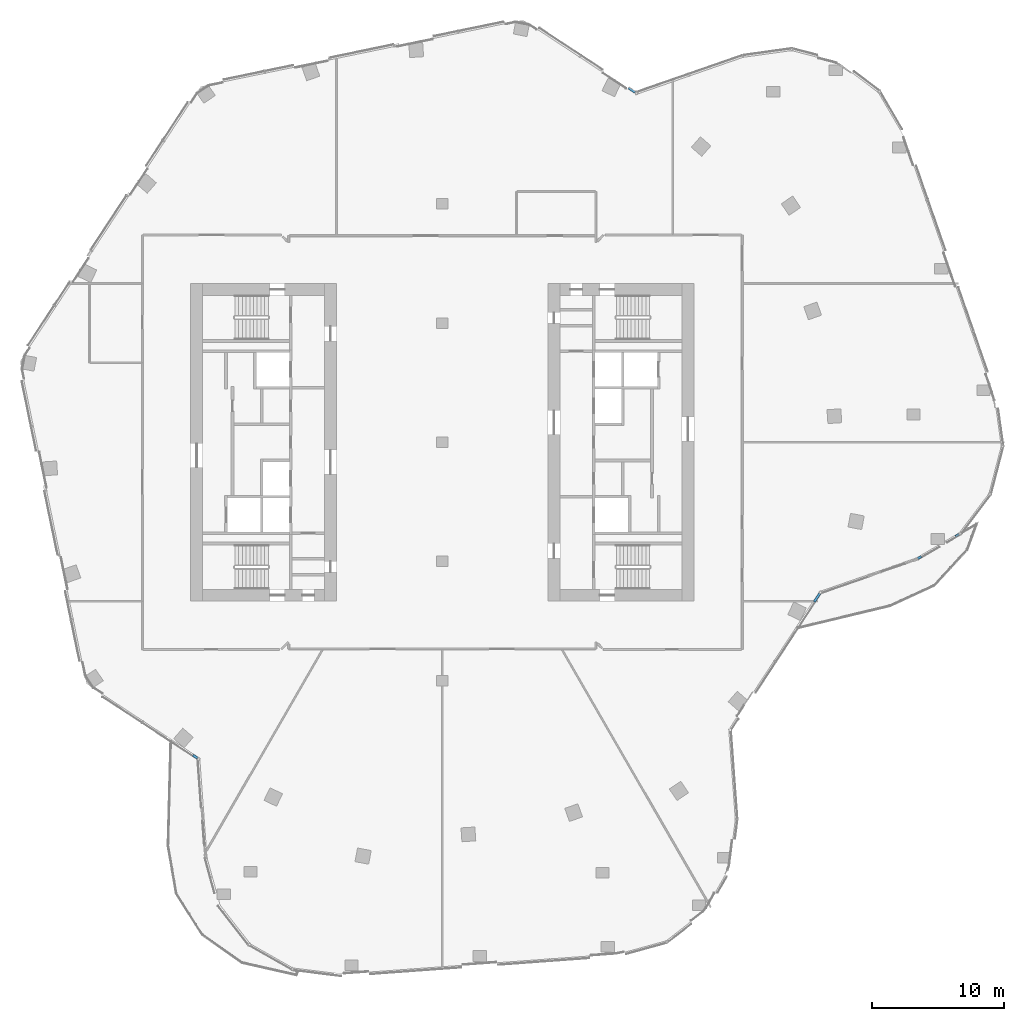
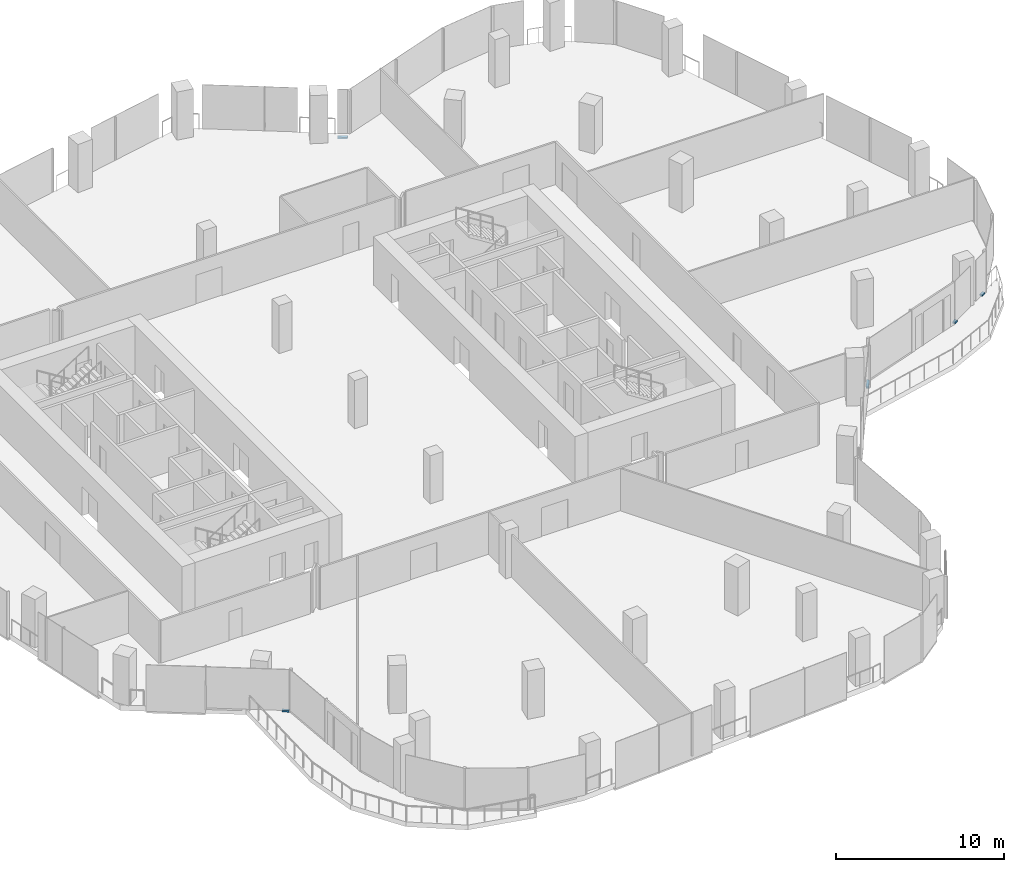
# One storey, part 11 of 26: 5 members, 4 elements without a shape of their own.
"""IFC4 building model written with IfcOpenShell, lengths in metres."""

from ifc_helpers import new_model, si_unit, direction, frame, origin, origin_2d, place, context, subcontext, project, spatial, rectangle, extrude, material, material_profile, profile_set, type_object, element, aggregate, save


model = new_model("IFC4")

# Units and contexts
model_context = context("Model", 3, precision=1e-05, world=origin(), true_north=direction((0.0, 1.0)))
body_context = subcontext(model_context, "Body", "Model", "MODEL_VIEW")
ifc_project = project(units=[si_unit("LENGTHUNIT", "METRE"), si_unit("AREAUNIT", "SQUARE_METRE"), si_unit("VOLUMEUNIT", "CUBIC_METRE"), si_unit("PLANEANGLEUNIT", "RADIAN"), si_unit("MASSUNIT", "GRAM", prefix="KILO")], contexts=[model_context])

# Site, building, storey
site_placement = place(None, origin())
site = spatial("IfcSite", under=ifc_project, at=site_placement, CompositionType="ELEMENT")
building_placement = place(site_placement, origin())
building = spatial("IfcBuilding", under=site, at=building_placement, Name="Orlundy Tower", CompositionType="ELEMENT")
storey_placement = place(building_placement, frame((0.0, 0.0, 232.0)))
storey = spatial("IfcBuildingStorey", under=building, at=storey_placement, Name="L61", CompositionType="ELEMENT", Elevation=232.0)

# Curtain wall, member
ifc_material_1 = material(Name="Aluminium bronze anodised", Category="aluminium")
curtain_wall_type = type_object("IfcCurtainWallType", Name="CW1 wall", PredefinedType="NOTDEFINED", material=ifc_material_1)
curtain_wall_1_placement = place(storey_placement, origin())
curtain_wall_1 = element("IfcCurtainWall", 1, at=curtain_wall_1_placement, inside=storey, type_object=curtain_wall_type, Name="CW1 run 01", PredefinedType="NOTDEFINED")
ifc_material_2 = material(Name="Aluminium bronze anodised", Category="aluminium")
ifc_material_profile = material_profile(ifc_material_2, rectangle(XDim=0.179931640625, YDim=0.1201171875, at=origin_2d()), Name="CW1 transom 180x120")
ifc_profile_set = profile_set([ifc_material_profile], Name="Aluminium bronze anodised")
member_type = type_object("IfcMemberType", Name="CW1 transom 180x120", PredefinedType="USERDEFINED", material=ifc_profile_set)
member_1_placement = place(storey_placement, frame((28.50390625, -11.419189453125, 0.06005859375), z_axis=(-0.549455836474, -0.83552276077, 0.0), x_axis=(0.83552276077, -0.549455836474, 0.0)))
member_1 = element("IfcMember", 2, at=member_1_placement, type_object=member_type, Name="CW1 transom", ObjectType="TRANSOM", PredefinedType="USERDEFINED", context=body_context, shape_type="SweptSolid", body=[
    extrude(rectangle(XDim=0.179931640625, YDim=0.1201171875, at=origin_2d()), origin(), (0.0, 0.0, 1.0), 0.753662109375),
])
aggregate(curtain_wall_1, [member_1])

curtain_wall_2_placement = place(storey_placement, origin())
curtain_wall_2 = element("IfcCurtainWall", 3, at=curtain_wall_2_placement, inside=storey, type_object=curtain_wall_type, Name="CW1 run 013", PredefinedType="NOTDEFINED")
member_2_placement = place(storey_placement, frame((-18.476806640625, -23.8623046875, 0.06005859375), z_axis=(-0.835569813803, 0.549384279227, 0.0), x_axis=(-0.549384279227, -0.835569813803, 0.0)))
member_2 = element("IfcMember", 4, at=member_2_placement, type_object=member_type, Name="CW1 transom", ObjectType="TRANSOM", PredefinedType="USERDEFINED", context=body_context, shape_type="SweptSolid", body=[
    extrude(rectangle(XDim=0.179931640625, YDim=0.1201171875, at=origin_2d()), origin(), (0.0, 0.0, 1.0), 0.4248046875),
])
aggregate(curtain_wall_2, [member_2])

curtain_wall_3_placement = place(storey_placement, origin())
curtain_wall_3 = element("IfcCurtainWall", 5, at=curtain_wall_3_placement, inside=storey, type_object=curtain_wall_type, Name="CW1 run 017", PredefinedType="NOTDEFINED")
member_3_placement = place(storey_placement, frame((14.0703125, 26.760986328125, -0.340087890625), z_axis=(0.835402388674, -0.549638835052, 0.0), x_axis=(0.549638835052, 0.835402388674, 0.0)))
member_3 = element("IfcMember", 6, at=member_3_placement, type_object=member_type, Name="CW1 transom", ObjectType="TRANSOM", PredefinedType="USERDEFINED", context=body_context, shape_type="SweptSolid", body=[
    extrude(rectangle(XDim=0.179931640625, YDim=0.1201171875, at=origin_2d()), origin(), (0.0, 0.0, 1.0), 0.602294921875),
])
aggregate(curtain_wall_3, [member_3])

# Curtain wall, members
curtain_wall_4_placement = place(storey_placement, origin())
curtain_wall_4 = element("IfcCurtainWall", 7, at=curtain_wall_4_placement, inside=storey, type_object=curtain_wall_type, Name="CW1 run 027", PredefinedType="NOTDEFINED")
member_4_placement = place(storey_placement, frame((39.02734375, -6.951171875, 0.06005859375), z_axis=(-0.862307036092, -0.506385797102, 0.0), x_axis=(0.506385797102, -0.862307036092, 0.0)))
member_4 = element("IfcMember", 8, at=member_4_placement, type_object=member_type, Name="CW1 transom", ObjectType="TRANSOM", PredefinedType="USERDEFINED", context=body_context, shape_type="SweptSolid", body=[
    extrude(rectangle(XDim=0.179931640625, YDim=0.1201171875, at=origin_2d()), origin(), (0.0, 0.0, 1.0), 0.319580078125),
])
member_5_placement = place(storey_placement, frame((36.16748046875, -8.630859375, 0.06005859375), z_axis=(-0.862454208464, -0.506135098864, 0.0), x_axis=(0.506135098864, -0.862454208464, 0.0)))
member_5 = element("IfcMember", 9, at=member_5_placement, type_object=member_type, Name="CW1 transom", ObjectType="TRANSOM", PredefinedType="USERDEFINED", context=body_context, shape_type="SweptSolid", body=[
    extrude(rectangle(XDim=0.179931640625, YDim=0.1201171875, at=origin_2d()), origin(), (0.0, 0.0, 1.0), 0.301513671875),
])
aggregate(curtain_wall_4, [member_4, member_5])

save(model, "model.ifc")
